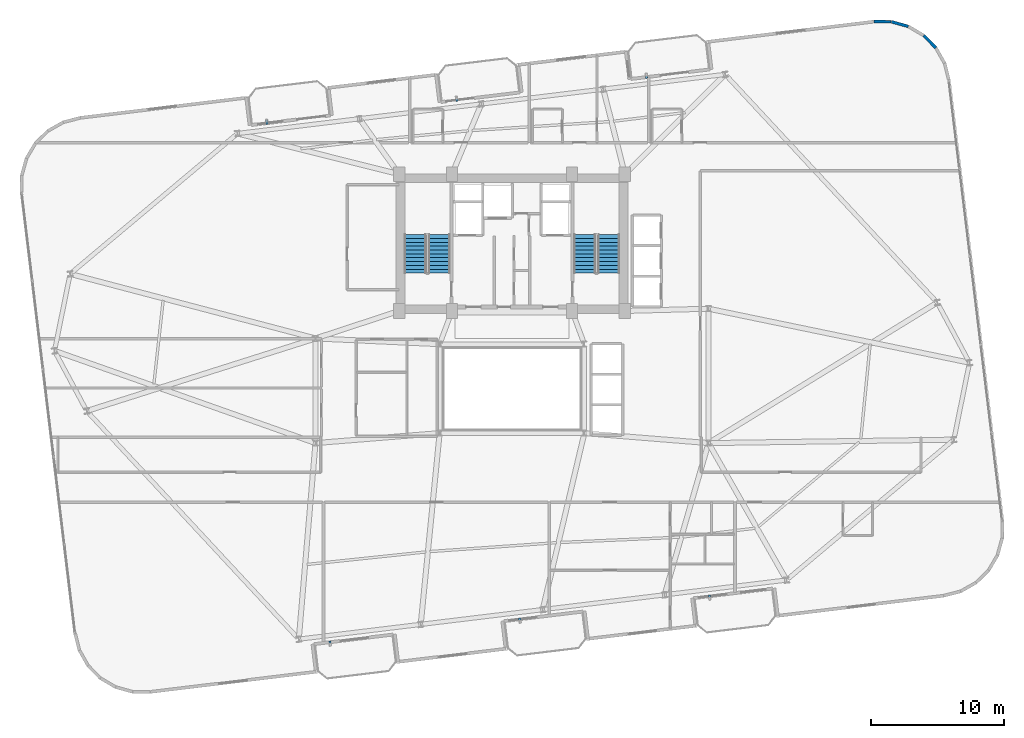
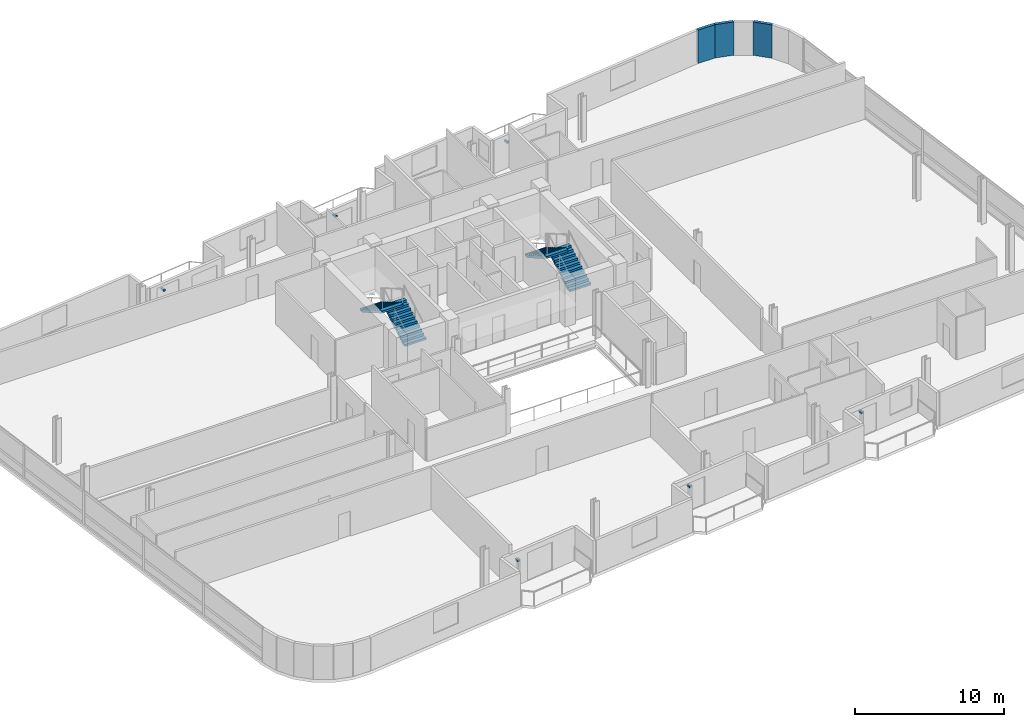
# One storey, part 18 of 22: 6 discrete accessories, 4 stair flights, 3 walls, 2 elements without a shape of their own.
"""IFC4 building model written with IfcOpenShell, lengths in metres."""

import ifcopenshell
import ifcopenshell.guid

model = None  # the IFC model being written
_history = None  # IfcOwnerHistory: only IFC2X3 demands one
_inside = {}  # id of a spatial element -> (the spatial element, [elements in it])
_under = {}  # id of a project, library or spatial element -> (it, [spatial elements below it])
_declared = {}  # id of a project -> (the project, [libraries it declares])
_typed = {}  # id of a type object -> (the type object, [elements of that type])
_made_of = {}  # id of a material, layer set ... -> (it, [elements and type objects made of it])


def new_model(schema):
    """Start an empty IFC model of exactly this schema.

    Asked for "IFC4X3", IfcOpenShell would pick the latest addendum, in which some entities
    have other attributes; the version numbers below select the first issue.
    IFC2X3 requires an IfcOwnerHistory on every rooted entity: one is made here for all.
    """
    global model, _history
    if schema == "IFC4X3":
        model = ifcopenshell.file(schema_version=(4, 3, 0, 0))
    else:
        model = ifcopenshell.file(schema=schema)
    _inside.clear()
    _under.clear()
    _declared.clear()
    _typed.clear()
    _made_of.clear()
    _history = None
    if model.schema == "IFC2X3":
        org = make("IfcOrganization", Name="unknown")
        user = make(
            "IfcPersonAndOrganization",
            ThePerson=make("IfcPerson", FamilyName="unknown"),
            TheOrganization=org,
        )
        app = make(
            "IfcApplication",
            ApplicationDeveloper=org,
            Version="unknown",
            ApplicationFullName="unknown",
            ApplicationIdentifier="unknown",
        )
        _history = make(
            "IfcOwnerHistory",
            OwningUser=user,
            OwningApplication=app,
            ChangeAction="ADDED",
            CreationDate=0,
        )
    return model


def make(cls, **values):
    """One entity of the class cls with the attributes given. An attribute that is None is left unset."""
    return model.create_entity(
        cls, **{name: value for name, value in values.items() if value is not None}
    )


def rooted(cls, **values):
    """An entity with a GlobalId (a new one), such as an element, a storey or a relation."""
    return make(cls, GlobalId=ifcopenshell.guid.new(), OwnerHistory=_history, **values)


def si_unit(unit_type, name, prefix=None):
    """IfcSIUnit, for example si_unit("LENGTHUNIT", "METRE", prefix="MILLI")."""
    return make("IfcSIUnit", UnitType=unit_type, Prefix=prefix, Name=name)


def assignment(units):
    """IfcUnitAssignment: the units of a project."""
    return None if units is None else make("IfcUnitAssignment", Units=units)


def point(xyz):
    """IfcCartesianPoint."""
    return None if xyz is None else make("IfcCartesianPoint", Coordinates=xyz)


def direction(xyz):
    """IfcDirection."""
    return None if xyz is None else make("IfcDirection", DirectionRatios=xyz)


def frame(location, z_axis=None, x_axis=None):
    """IfcAxis2Placement3D, a coordinate frame: its origin and axes. An axis left out is left unset."""
    return make(
        "IfcAxis2Placement3D",
        Location=point(location),
        Axis=direction(z_axis),
        RefDirection=direction(x_axis),
    )


def frame_2d(location, x_axis=None):
    """IfcAxis2Placement2D, a coordinate frame in the plane: its origin and x axis."""
    return make(
        "IfcAxis2Placement2D", Location=point(location), RefDirection=direction(x_axis)
    )


def origin():
    """The frame at (0, 0, 0) with its axes left unset."""
    return frame((0.0, 0.0, 0.0))


def origin_2d():
    """The frame at (0, 0) in the plane with its x axis left unset."""
    return frame_2d((0.0, 0.0))


def place(relative_to, where):
    """IfcLocalPlacement: puts the frame where relative to a parent placement (None: the world)."""
    return make(
        "IfcLocalPlacement", PlacementRelTo=relative_to, RelativePlacement=where
    )


def context(
    kind, dimensions, precision=None, world=None, true_north=None, identifier=None
):
    """IfcGeometricRepresentationContext, for example the 3D "Model" context."""
    return make(
        "IfcGeometricRepresentationContext",
        ContextIdentifier=identifier,
        ContextType=kind,
        CoordinateSpaceDimension=dimensions,
        Precision=precision,
        WorldCoordinateSystem=world,
        TrueNorth=true_north,
    )


def subcontext(parent, identifier, kind, view, scale=None):
    """IfcGeometricRepresentationSubContext, for example "Body" below "Model"."""
    return make(
        "IfcGeometricRepresentationSubContext",
        ContextIdentifier=identifier,
        ContextType=kind,
        ParentContext=parent,
        TargetScale=scale,
        TargetView=view,
    )


def project(units=None, contexts=None):
    """IfcProject with its units and contexts."""
    return rooted(
        "IfcProject",
        Name="project",
        RepresentationContexts=contexts,
        UnitsInContext=assignment(units),
    )


def spatial(cls, under=None, at=None, **own):
    """A site, building, storey or space (cls), placed at a placement, below another one or the project."""
    s = rooted(cls, ObjectPlacement=at, **own)
    if under is not None:
        _under.setdefault(under.id(), (under, []))[1].append(s)
    return s


def polyline(points):
    """IfcPolyline through the points."""
    return make("IfcPolyline", Points=[point(p) for p in points])


def profile(cls, at=None, kind="AREA", **sizes):
    """A parametric profile (cls). Its sizes go by their IFC names, for example OverallWidth=200.0."""
    return make(cls, ProfileType=kind, Position=at, **sizes)


def rectangle(**sizes):
    """IfcRectangleProfileDef."""
    return profile("IfcRectangleProfileDef", **sizes)


def outline(outer, holes=None, kind="AREA"):
    """IfcArbitraryClosedProfileDef: a profile drawn as a closed curve; with holes, ...WithVoids."""
    if holes is None:
        return make("IfcArbitraryClosedProfileDef", ProfileType=kind, OuterCurve=outer)
    return make(
        "IfcArbitraryProfileDefWithVoids",
        ProfileType=kind,
        OuterCurve=outer,
        InnerCurves=holes,
    )


def extrude(swept, where, along, depth):
    """IfcExtrudedAreaSolid: the profile swept, set in the frame where, extruded along a direction by depth."""
    return make(
        "IfcExtrudedAreaSolid",
        SweptArea=swept,
        Position=where,
        ExtrudedDirection=direction(along),
        Depth=depth,
    )


def shape(context_of_items, identifier, shape_type, items):
    """IfcShapeRepresentation: the items that make up one representation, for example the "Body"."""
    return make(
        "IfcShapeRepresentation",
        ContextOfItems=context_of_items,
        RepresentationIdentifier=identifier,
        RepresentationType=shape_type,
        Items=items,
    )


def source(mapping_origin, context_of_items, identifier, shape_type, items):
    """IfcRepresentationMap: a shape defined once, which mapped items show again and again."""
    return make(
        "IfcRepresentationMap",
        MappingOrigin=mapping_origin,
        MappedRepresentation=shape(context_of_items, identifier, shape_type, items),
    )


def transform(
    local_origin,
    x_axis=None,
    y_axis=None,
    z_axis=None,
    scale=None,
    scale2=None,
    scale3=None,
    uniform=True,
):
    """IfcCartesianTransformationOperator3D, or its non-uniform kind. x_axis, y_axis, z_axis: its Axis1, 2, 3."""
    if uniform:
        return make(
            "IfcCartesianTransformationOperator3D",
            Axis1=direction(x_axis),
            Axis2=direction(y_axis),
            LocalOrigin=point(local_origin),
            Scale=scale,
            Axis3=direction(z_axis),
        )
    return make(
        "IfcCartesianTransformationOperator3DnonUniform",
        Axis1=direction(x_axis),
        Axis2=direction(y_axis),
        LocalOrigin=point(local_origin),
        Scale=scale,
        Axis3=direction(z_axis),
        Scale2=scale2,
        Scale3=scale3,
    )


def mapped(mapping_source, mapping_target):
    """IfcMappedItem: shows the shape of a source again, moved by a transform."""
    return make(
        "IfcMappedItem", MappingSource=mapping_source, MappingTarget=mapping_target
    )


def material(Name=None, Category=None):
    """IfcMaterial."""
    return make("IfcMaterial", Name=Name, Category=Category)


def layer(
    of_material, thickness, ventilated=None, Name=None, Category=None, Priority=None
):
    """IfcMaterialLayer: one layer of a wall or slab, of a material (None: an air gap)."""
    return make(
        "IfcMaterialLayer",
        Material=of_material,
        LayerThickness=thickness,
        IsVentilated=ventilated,
        Name=Name,
        Category=Category,
        Priority=Priority,
    )


def layer_set(layers, Name=None):
    """IfcMaterialLayerSet."""
    return make("IfcMaterialLayerSet", MaterialLayers=layers, LayerSetName=Name)


def made_of(thing, what):
    """Note that an element or type object is made of a material, layer set ...; save() writes the relation."""
    if what is not None:
        _made_of.setdefault(what.id(), (what, []))[1].append(thing)
    return thing


def type_object(cls, material=None, **own):
    """A type object (cls), such as IfcWallType, which elements share."""
    return made_of(rooted(cls, **own), material)


def element(
    cls,
    number,
    at=None,
    inside=None,
    cuts=None,
    type_object=None,
    material=None,
    context=None,
    identifier="Body",
    shape_type=None,
    held_by="IfcProductDefinitionShape",
    body=None,
    shapes=None,
    **own,
):
    """One element of the class cls, such as IfcWall. Its Tag is "e" and its number.

    at: its placement. inside: the storey or other place that contains it. cuts: it is an
    opening in that element (IfcRelVoidsElement). A single representation is given by context,
    identifier, shape_type and body (its items); several are given by shapes. held_by: the class
    of the entity that holds the representations. save() writes the other relations.
    """
    e = rooted(cls, Tag="e%d" % number, ObjectPlacement=at, **own)
    if body is not None:
        shapes = [shape(context, identifier, shape_type, body)]
    if shapes is not None:
        e.Representation = make(held_by, Representations=shapes)
    if inside is not None:
        _inside.setdefault(inside.id(), (inside, []))[1].append(e)
    if cuts is not None:
        rooted(
            "IfcRelVoidsElement", RelatingBuildingElement=cuts, RelatedOpeningElement=e
        )
    if type_object is not None:
        _typed.setdefault(type_object.id(), (type_object, []))[1].append(e)
    return made_of(e, material)


def aggregate(whole, parts):
    """IfcRelAggregates: a whole, such as a stair, and the parts it consists of."""
    return rooted("IfcRelAggregates", RelatingObject=whole, RelatedObjects=parts)


def save(model, path):
    """Write the relations noted so far, then the file.

    IfcRelAggregates (storeys below a building ...), IfcRelContainedInSpatialStructure (elements
    in a storey), IfcRelDefinesByType, IfcRelAssociatesMaterial and IfcRelDeclares: one each for
    every whole, place, type object, material and project.
    """
    for whole, parts in _under.values():
        aggregate(whole, parts)
    for where, things in _inside.values():
        rooted(
            "IfcRelContainedInSpatialStructure",
            RelatedElements=things,
            RelatingStructure=where,
        )
    for kind, things in _typed.values():
        rooted("IfcRelDefinesByType", RelatedObjects=things, RelatingType=kind)
    for what, things in _made_of.values():
        rooted("IfcRelAssociatesMaterial", RelatedObjects=things, RelatingMaterial=what)
    for by, libraries in _declared.values():
        rooted("IfcRelDeclares", RelatingContext=by, RelatedDefinitions=libraries)
    model.write(path)


model = new_model("IFC4")

# Units and contexts
model_context = context("Model", 3, precision=1e-05, world=origin(), true_north=direction((0.0, 1.0)))
body_context = subcontext(model_context, "Body", "Model", "MODEL_VIEW")
ifc_project = project(units=[si_unit("LENGTHUNIT", "METRE"), si_unit("AREAUNIT", "SQUARE_METRE"), si_unit("VOLUMEUNIT", "CUBIC_METRE"), si_unit("PLANEANGLEUNIT", "RADIAN"), si_unit("MASSUNIT", "GRAM", prefix="KILO")], contexts=[model_context])

# Site, building, storey
site_placement = place(None, origin())
site = spatial("IfcSite", under=ifc_project, at=site_placement, CompositionType="ELEMENT")
building_placement = place(site_placement, origin())
building = spatial("IfcBuilding", under=site, at=building_placement, Name="Varnelok Gate Tower", CompositionType="ELEMENT")
storey_placement = place(building_placement, frame((0.0, 0.0, 185.699951171875)))
storey = spatial("IfcBuildingStorey", under=building, at=storey_placement, Name="L47", CompositionType="ELEMENT", Elevation=185.699951171875)

# Walls
ifc_material_1 = material(Name="Concrete C45/55", Category="concrete")
ifc_layer = layer(ifc_material_1, 0.219970703125)
ifc_layer_set = layer_set([ifc_layer], Name="Concrete C45/55")
wall_type = type_object("IfcWallType", Name="EW-BALC-220", PredefinedType="SOLIDWALL", material=ifc_layer_set)
for number, where, z_axis, x_axis, name in (
    (1, (71.114990234375, 48.5693359375, 0.0), (0.0, 0.0, 1.0), (-0.699844331926, 0.714295394827, 0.0), "L47 Perimeter Facade Closure Wall 25"),
    (2, (69.0390625, 50.179931640625, 0.0), (0.0, 0.0, 1.0), (-0.963205341366, 0.26876657226, 0.0), "L47 Perimeter Facade Closure Wall 27"),
):
    element("IfcWall", number, at=place(storey_placement, frame(where, z_axis=z_axis, x_axis=x_axis)), inside=storey, type_object=wall_type, Name=name, PredefinedType="SOLIDWALL", context=body_context, shape_type="SweptSolid", body=[
        extrude(rectangle(XDim=1.30078125, YDim=0.219970703125, at=frame_2d((0.650390625, 0.0))), origin(), (0.0, 0.0, 1.0), 2.72998046875),
    ])
wall_placement = place(storey_placement, frame((67.760986328125, 50.52978515625, 0.0), z_axis=(0.0, 0.0, 1.0), x_axis=(-0.999947358106, 0.010260653861, 0.0)))
element("IfcWall", 3, at=wall_placement, inside=storey, type_object=wall_type, Name="L47 Perimeter Facade Closure Wall 28", PredefinedType="SOLIDWALL", context=body_context, shape_type="SweptSolid", body=[
    extrude(rectangle(XDim=1.30859375, YDim=0.219970703125, at=frame_2d((0.654296875, 0.0))), origin(), (0.0, 0.0, 1.0), 2.72998046875),
])

# Stair, stair flights
ifc_material_2 = material(Name="Concrete C50/60", Category="concrete")
stair_type = type_object("IfcStairType", Name="STR-CORE-1650", PredefinedType="HALF_TURN_STAIR", material=ifc_material_2)
stair_1_placement = place(storey_placement, origin())
stair_1 = element("IfcStair", 4, at=stair_1_placement, inside=storey, type_object=stair_type, Name="L47 Exit Stair ST-1", PredefinedType="HALF_TURN_STAIR")
stair_flight_type = type_object("IfcStairFlightType", Name="SFL-CORE-1650", PredefinedType="STRAIGHT", material=ifc_material_2)
stair_flight_1_placement = place(storey_placement, frame((33.72509765625, 31.60009765625, 0.0), z_axis=(0.0, 0.0, 1.0), x_axis=(0.0, 1.0, 0.0)))
stair_flight_1 = element("IfcStairFlight", 5, at=stair_flight_1_placement, type_object=stair_flight_type, Name="ST-1 flight 1", NumberOfRisers=11, NumberOfTreads=10, PredefinedType="STRAIGHT", RiserHeight=0.168181818, TreadLength=0.29, context=body_context, shape_type="SweptSolid", body=[
    extrude(outline(polyline([(0.0, 0.0), (0.0, 0.168212890625), (0.2900390625, 0.168212890625), (0.2900390625, 0.33642578125), (0.580078125, 0.33642578125), (0.580078125, 0.504638671875), (0.8701171875, 0.504638671875), (0.8701171875, 0.672607421875), (1.159912109375, 0.672607421875), (1.159912109375, 0.8408203125), (1.449951171875, 0.8408203125), (1.449951171875, 1.009033203125), (1.739990234375, 1.009033203125), (1.739990234375, 1.17724609375), (2.030029296875, 1.17724609375), (2.030029296875, 1.345458984375), (2.320068359375, 1.345458984375), (2.320068359375, 1.513671875), (2.610107421875, 1.513671875), (2.610107421875, 1.681884765625), (2.89990234375, 1.681884765625), (2.89990234375, 1.85009765625), (2.89990234375, 1.508544921875), (0.298828125, 0.0), (0.0, 0.0)])), frame((0.0, 0.824951171875, 0.0), z_axis=(0.0, -1.0, 0.0), x_axis=(1.0, 0.0, 0.0)), (0.0, 0.0, 1.0), 1.64990234375),
])
stair_flight_2_placement = place(storey_placement, frame((31.925048828125, 34.5, 1.85009765625), z_axis=(0.0, 0.0, 1.0), x_axis=(0.0, -1.0, 0.0)))
stair_flight_2 = element("IfcStairFlight", 6, at=stair_flight_2_placement, type_object=stair_flight_type, Name="ST-1 flight 2", NumberOfRisers=11, NumberOfTreads=10, PredefinedType="STRAIGHT", RiserHeight=0.168181818, TreadLength=0.29, context=body_context, shape_type="SweptSolid", body=[
    extrude(outline(polyline([(0.0, 0.0), (0.0, 0.168212890625), (0.2900390625, 0.168212890625), (0.2900390625, 0.33642578125), (0.580078125, 0.33642578125), (0.580078125, 0.504638671875), (0.8701171875, 0.504638671875), (0.8701171875, 0.672607421875), (1.159912109375, 0.672607421875), (1.159912109375, 0.8408203125), (1.449951171875, 0.8408203125), (1.449951171875, 1.009033203125), (1.739990234375, 1.009033203125), (1.739990234375, 1.17724609375), (2.030029296875, 1.17724609375), (2.030029296875, 1.345458984375), (2.320068359375, 1.345458984375), (2.320068359375, 1.513671875), (2.610107421875, 1.513671875), (2.610107421875, 1.681884765625), (2.89990234375, 1.681884765625), (2.89990234375, 1.85009765625), (2.89990234375, 1.508544921875), (0.298828125, 0.0), (0.0, 0.0)])), frame((0.0, 0.824951171875, 0.0), z_axis=(0.0, -1.0, 0.0), x_axis=(1.0, 0.0, 0.0)), (0.0, 0.0, 1.0), 1.64990234375),
])
aggregate(stair_1, [stair_flight_1, stair_flight_2])

stair_2_placement = place(storey_placement, origin())
stair_2 = element("IfcStair", 7, at=stair_2_placement, inside=storey, type_object=stair_type, Name="L47 Exit Stair ST-2", PredefinedType="HALF_TURN_STAIR")
stair_flight_3_placement = place(storey_placement, frame((46.47509765625, 31.60009765625, 0.0), z_axis=(0.0, 0.0, 1.0), x_axis=(0.0, 1.0, 0.0)))
stair_flight_3 = element("IfcStairFlight", 8, at=stair_flight_3_placement, type_object=stair_flight_type, Name="ST-2 flight 1", NumberOfRisers=11, NumberOfTreads=10, PredefinedType="STRAIGHT", RiserHeight=0.168181818, TreadLength=0.29, context=body_context, shape_type="SweptSolid", body=[
    extrude(outline(polyline([(0.0, 0.0), (0.0, 0.168212890625), (0.2900390625, 0.168212890625), (0.2900390625, 0.33642578125), (0.580078125, 0.33642578125), (0.580078125, 0.504638671875), (0.8701171875, 0.504638671875), (0.8701171875, 0.672607421875), (1.159912109375, 0.672607421875), (1.159912109375, 0.8408203125), (1.449951171875, 0.8408203125), (1.449951171875, 1.009033203125), (1.739990234375, 1.009033203125), (1.739990234375, 1.17724609375), (2.030029296875, 1.17724609375), (2.030029296875, 1.345458984375), (2.320068359375, 1.345458984375), (2.320068359375, 1.513671875), (2.610107421875, 1.513671875), (2.610107421875, 1.681884765625), (2.89990234375, 1.681884765625), (2.89990234375, 1.85009765625), (2.89990234375, 1.508544921875), (0.298828125, 0.0), (0.0, 0.0)])), frame((0.0, 0.824951171875, 0.0), z_axis=(0.0, -1.0, 0.0), x_axis=(1.0, 0.0, 0.0)), (0.0, 0.0, 1.0), 1.64990234375),
])
stair_flight_4_placement = place(storey_placement, frame((44.675048828125, 34.5, 1.85009765625), z_axis=(0.0, 0.0, 1.0), x_axis=(0.0, -1.0, 0.0)))
stair_flight_4 = element("IfcStairFlight", 9, at=stair_flight_4_placement, type_object=stair_flight_type, Name="ST-2 flight 2", NumberOfRisers=11, NumberOfTreads=10, PredefinedType="STRAIGHT", RiserHeight=0.168181818, TreadLength=0.29, context=body_context, shape_type="SweptSolid", body=[
    extrude(outline(polyline([(0.0, 0.0), (0.0, 0.168212890625), (0.2900390625, 0.168212890625), (0.2900390625, 0.33642578125), (0.580078125, 0.33642578125), (0.580078125, 0.504638671875), (0.8701171875, 0.504638671875), (0.8701171875, 0.672607421875), (1.159912109375, 0.672607421875), (1.159912109375, 0.8408203125), (1.449951171875, 0.8408203125), (1.449951171875, 1.009033203125), (1.739990234375, 1.009033203125), (1.739990234375, 1.17724609375), (2.030029296875, 1.17724609375), (2.030029296875, 1.345458984375), (2.320068359375, 1.345458984375), (2.320068359375, 1.513671875), (2.610107421875, 1.513671875), (2.610107421875, 1.681884765625), (2.89990234375, 1.681884765625), (2.89990234375, 1.85009765625), (2.89990234375, 1.508544921875), (0.298828125, 0.0), (0.0, 0.0)])), frame((0.0, 0.824951171875, 0.0), z_axis=(0.0, -1.0, 0.0), x_axis=(1.0, 0.0, 0.0)), (0.0, 0.0, 1.0), 1.64990234375),
])
aggregate(stair_2, [stair_flight_3, stair_flight_4])

# Discrete accessories
ifc_material_3 = material(Name="Structural Steel ASTM A500 Grade C", Category="steel")
discrete_accessory_type = type_object("IfcDiscreteAccessoryType", Name="ACC-BAGUETTE-BRK", PredefinedType="BRACKET", material=ifc_material_3)
shared_shape = source(origin(), body_context, "Body", "SweptSolid", [
    extrude(rectangle(XDim=0.159912109375, YDim=0.340087890625, at=origin_2d()), origin(), (0.0, 0.0, 1.0), 0.139892578125),
])
for number, where, z_axis, x_axis, name in (
    (10, (25.4970703125, 3.72412109375, 1.97998046875), (0.0, 0.0, 1.0), (0.992732158755, 0.12034475881, 0.0), "L47 Terracotta Baguette Bracket 1.1"),
    (11, (39.792236328125, 5.45703125, 1.97998046875), (0.0, 0.0, 1.0), (0.992732158755, 0.12034475881, 0.0), "L47 Terracotta Baguette Bracket 2.1"),
    (12, (54.087646484375, 7.18994140625, 1.97998046875), (0.0, 0.0, 1.0), (0.992732158755, 0.12034475881, 0.0), "L47 Terracotta Baguette Bracket 3.1"),
    (13, (20.738525390625, 42.976806640625, 1.97998046875), (0.0, 0.0, 1.0), (0.992732158755, 0.12034475881, 0.0), "L47 Terracotta Baguette Bracket 4.1"),
    (14, (35.033935546875, 44.709716796875, 1.97998046875), (0.0, 0.0, 1.0), (0.992732158755, 0.12034475881, 0.0), "L47 Terracotta Baguette Bracket 5.1"),
    (15, (49.3291015625, 46.442626953125, 1.97998046875), (0.0, 0.0, 1.0), (0.992732158755, 0.12034475881, 0.0), "L47 Terracotta Baguette Bracket 6.1"),
):
    element("IfcDiscreteAccessory", number, at=place(storey_placement, frame(where, z_axis=z_axis, x_axis=x_axis)), inside=storey, type_object=discrete_accessory_type, Name=name, PredefinedType="BRACKET", context=body_context, shape_type="MappedRepresentation", body=[
        mapped(shared_shape, transform((0.0, 0.0, 0.0), scale=1.0)),
    ])

save(model, "model.ifc")
